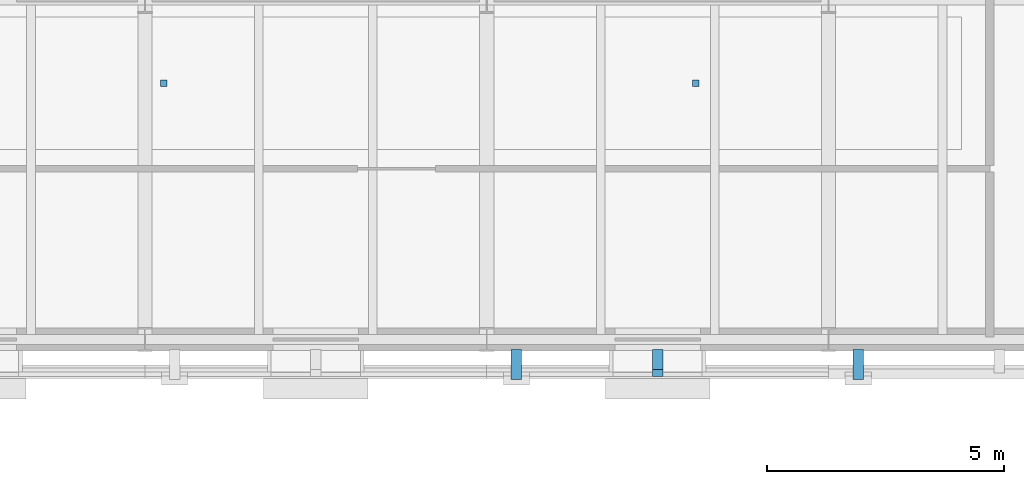
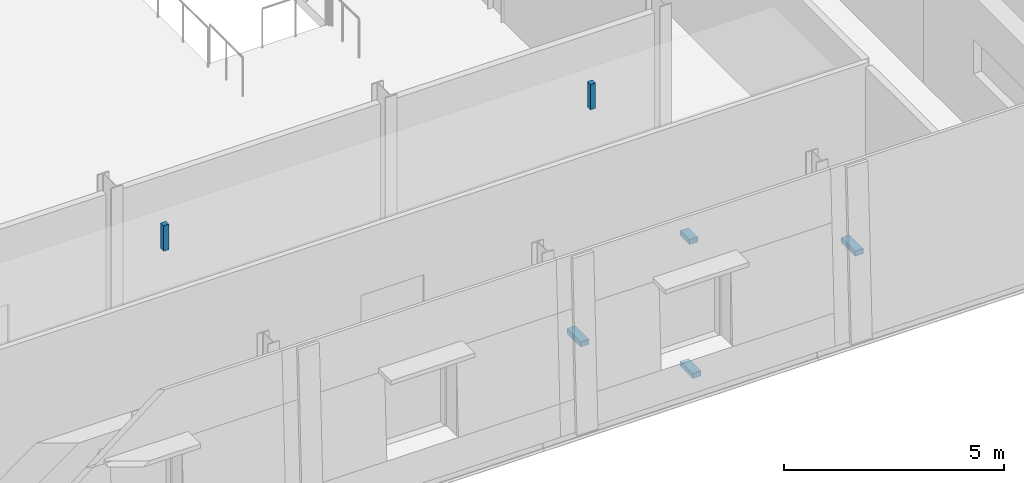
# One storey, part 92 of 121: 6 discrete accessories.
"""IFC4 building model written with IfcOpenShell, lengths in metres."""

from ifc_helpers import new_model, si_unit, direction, frame, origin, origin_2d, place, context, subcontext, project, spatial, rectangle, extrude, material, layer, layer_set, type_object, element, save


model = new_model("IFC4")

# Units and contexts
model_context = context("Model", 3, precision=1e-05, world=origin(), true_north=direction((0.0, 1.0)))
body_context = subcontext(model_context, "Body", "Model", "MODEL_VIEW")
ifc_project = project(units=[si_unit("LENGTHUNIT", "METRE"), si_unit("AREAUNIT", "SQUARE_METRE"), si_unit("VOLUMEUNIT", "CUBIC_METRE"), si_unit("PLANEANGLEUNIT", "RADIAN"), si_unit("MASSUNIT", "GRAM", prefix="KILO")], contexts=[model_context])

# Site, building, storey
site_placement = place(None, origin())
site = spatial("IfcSite", under=ifc_project, at=site_placement, CompositionType="ELEMENT")
building_placement = place(site_placement, origin())
building = spatial("IfcBuilding", under=site, at=building_placement, Name="Narikvali Park Central Library", CompositionType="ELEMENT")
storey_placement = place(building_placement, frame((0.0, 0.0, 5.39990234375)))
storey = spatial("IfcBuildingStorey", under=building, at=storey_placement, Name="L01", CompositionType="ELEMENT", Elevation=5.39990234375)

# Discrete accessories
ifc_material_1 = material(Name="Brushed Stainless Steel S355", Category="steel")
ifc_layer_1 = layer(ifc_material_1, 0.139892578125, Name="Brushed Stainless Steel S355")
ifc_layer_set_1 = layer_set([ifc_layer_1], Name="Brushed Stainless Steel S355")
discrete_accessory_type_1 = type_object("IfcDiscreteAccessoryType", Name="Cladding Stainless Tie-Back Corbel Bracket", PredefinedType="BRACKET", material=ifc_layer_set_1)
discrete_accessory_1_placement = place(storey_placement, frame((87.02490234375, 57.07470703125, 2.330078125), z_axis=(0.0, 0.0, 1.0), x_axis=(1.0, 0.0, 0.0)))
element("IfcDiscreteAccessory", 1, at=discrete_accessory_1_placement, inside=storey, type_object=discrete_accessory_type_1, Name="Limestone Cladding Tie-Back Bracket V1-PIL-L01-S-B04", PredefinedType="BRACKET", context=body_context, shape_type="SweptSolid", body=[
    extrude(rectangle(XDim=0.219970703125, YDim=0.630859375, at=origin_2d()), origin(), (0.0, 0.0, 1.0), 0.139892578125),
])
discrete_accessory_2_placement = place(storey_placement, frame((90.0, 57.104736328125, 0.38037109375), z_axis=(0.0, 0.0, 1.0), x_axis=(1.0, 0.0, 0.0)))
element("IfcDiscreteAccessory", 2, at=discrete_accessory_2_placement, inside=storey, type_object=discrete_accessory_type_1, Name="Limestone Cladding Tie-Back Bracket V1-CLD-L01-S-B04-SP", PredefinedType="BRACKET", context=body_context, shape_type="SweptSolid", body=[
    extrude(rectangle(XDim=0.219970703125, YDim=0.570556640625, at=origin_2d()), origin(), (0.0, 0.0, 1.0), 0.139892578125),
])
discrete_accessory_3_placement = place(storey_placement, frame((90.0, 57.178955078125, 4.00537109375), z_axis=(0.0, 0.0, 1.0), x_axis=(1.0, 0.0, 0.0)))
element("IfcDiscreteAccessory", 3, at=discrete_accessory_3_placement, inside=storey, type_object=discrete_accessory_type_1, Name="Limestone Cladding Tie-Back Bracket V1-CLD-L01-S-B04-LN", PredefinedType="BRACKET", context=body_context, shape_type="SweptSolid", body=[
    extrude(rectangle(XDim=0.219970703125, YDim=0.42236328125, at=origin_2d()), origin(), (0.0, 0.0, 1.0), 0.139892578125),
])
discrete_accessory_4_placement = place(storey_placement, frame((94.22509765625, 57.07470703125, 2.330078125), z_axis=(0.0, 0.0, 1.0), x_axis=(1.0, 0.0, 0.0)))
element("IfcDiscreteAccessory", 4, at=discrete_accessory_4_placement, inside=storey, type_object=discrete_accessory_type_1, Name="Limestone Cladding Tie-Back Bracket V1-PIL-L01-S-B05", PredefinedType="BRACKET", context=body_context, shape_type="SweptSolid", body=[
    extrude(rectangle(XDim=0.219970703125, YDim=0.630859375, at=origin_2d()), origin(), (0.0, 0.0, 1.0), 0.139892578125),
])
ifc_material_2 = material(Name="Galvanised Steel S355", Category="steel")
ifc_layer_2 = layer(ifc_material_2, 0.7099609375, Name="Galvanised Steel S355")
ifc_layer_set_2 = layer_set([ifc_layer_2], Name="Galvanised Steel S355")
discrete_accessory_type_2 = type_object("IfcDiscreteAccessoryType", Name="Suspended Ceiling Hanger Rod Assembly", PredefinedType="BRACKET", material=ifc_layer_set_2)
for number, where, z_axis, x_axis, name in (
    (5, (79.60009765625, 63.0, 3.830078125), (0.0, 0.0, 1.0), (1.0, 0.0, 0.0), "V1 L01 Ceiling Suspension Hanger 02-1"),
    (6, (90.800048828125, 63.0, 3.830078125), (0.0, 0.0, 1.0), (1.0, 0.0, 0.0), "V1 L01 Ceiling Suspension Hanger 02-2"),
):
    element("IfcDiscreteAccessory", number, at=place(storey_placement, frame(where, z_axis=z_axis, x_axis=x_axis)), inside=storey, type_object=discrete_accessory_type_2, Name=name, PredefinedType="BRACKET", context=body_context, shape_type="SweptSolid", body=[
        extrude(rectangle(XDim=0.139892578125, YDim=0.139892578125, at=origin_2d()), origin(), (0.0, 0.0, 1.0), 0.7099609375),
    ])

save(model, "model.ifc")
